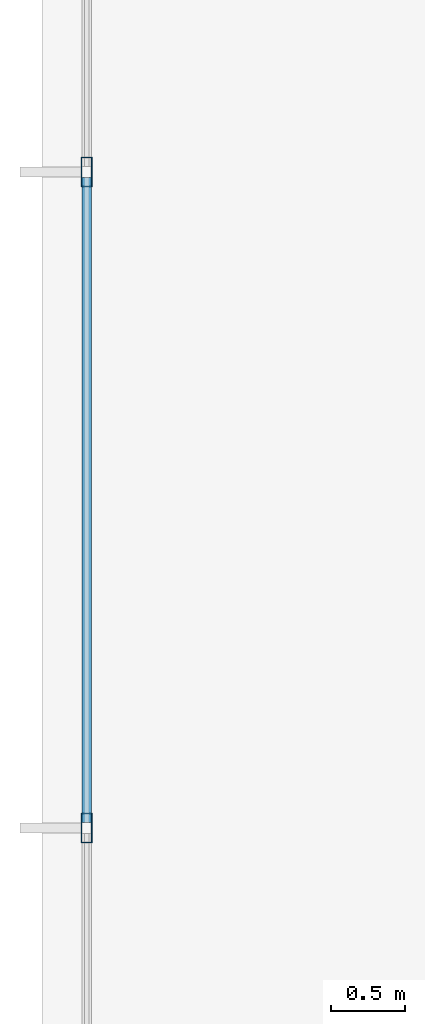
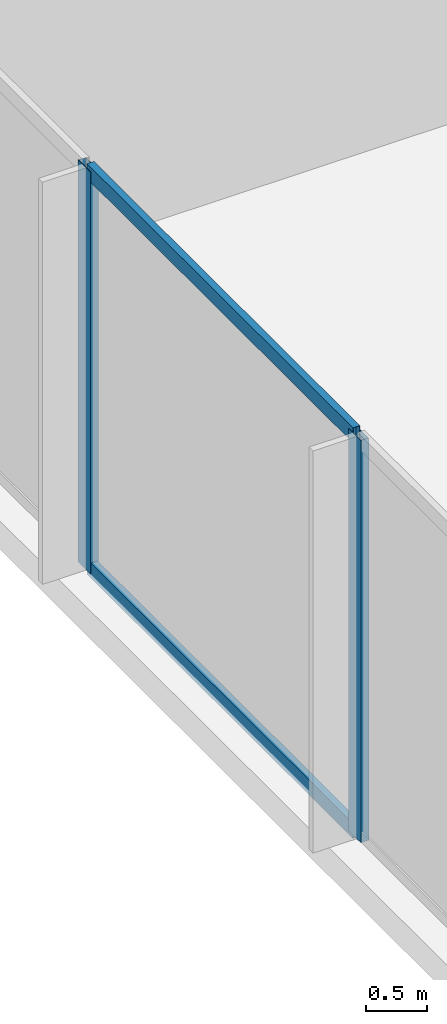
# One storey, part 12 of 42: 4 members, 1 element without a shape of its own.
"""IFC4 building model written with IfcOpenShell, lengths in metres."""

from ifc_helpers import new_model, si_unit, direction, frame, origin, origin_2d, place, context, subcontext, project, spatial, hollow_rectangle, extrude, material, layer, layer_set, material_profile, profile_set, type_object, element, aggregate, save


model = new_model("IFC4")

# Units and contexts
model_context = context("Model", 3, precision=1e-05, world=origin(), true_north=direction((0.0, 1.0)))
body_context = subcontext(model_context, "Body", "Model", "MODEL_VIEW")
ifc_project = project(units=[si_unit("LENGTHUNIT", "METRE"), si_unit("AREAUNIT", "SQUARE_METRE"), si_unit("VOLUMEUNIT", "CUBIC_METRE"), si_unit("PLANEANGLEUNIT", "RADIAN"), si_unit("MASSUNIT", "GRAM", prefix="KILO")], contexts=[model_context])

# Site, building, storey
site_placement = place(None, origin())
site = spatial("IfcSite", under=ifc_project, at=site_placement, CompositionType="ELEMENT")
building_placement = place(site_placement, origin())
building = spatial("IfcBuilding", under=site, at=building_placement, Name="Orvanel Arch Residences", CompositionType="ELEMENT")
storey_placement = place(building_placement, frame((0.0, 0.0, 5.5)))
storey = spatial("IfcBuildingStorey", under=building, at=storey_placement, Name="L01", CompositionType="ELEMENT", Elevation=5.5)

# Curtain wall, members
ifc_material = material(Name="Bronze-anodised aluminium AA6063-T6", Category="aluminium")
ifc_layer = layer(ifc_material, 0.199951171875)
ifc_layer_set = layer_set([ifc_layer], Name="Bronze-anodised aluminium AA6063-T6")
curtain_wall_type = type_object("IfcCurtainWallType", Name="CW1-POD-SYS", PredefinedType="NOTDEFINED", material=ifc_layer_set)
curtain_wall_placement = place(storey_placement, origin())
curtain_wall = element("IfcCurtainWall", 1, at=curtain_wall_placement, inside=storey, type_object=curtain_wall_type, Name="L01 CW1-POD-SYS Unitised Curtain Wall", PredefinedType="NOTDEFINED")
ifc_material_profile_1 = material_profile(ifc_material, hollow_rectangle(XDim=0.074951171875, YDim=0.199951171875, WallThickness=0.0048828125, at=origin_2d()), Name="ALU200x75x5")
ifc_profile_set_1 = profile_set([ifc_material_profile_1], Name="Bronze-anodised aluminium AA6063-T6")
member_type_1 = type_object("IfcMemberType", Name="MUL-200x75", PredefinedType="MULLION", material=ifc_profile_set_1)
member_1_placement = place(storey_placement, frame((1.550048828125, 31.929931640625, 0.0), z_axis=(0.0, 0.0, 1.0), x_axis=(1.0, 0.0, 0.0)))
member_1 = element("IfcMember", 2, at=member_1_placement, type_object=member_type_1, Name="CW-S1 mullion 2", PredefinedType="MULLION", context=body_context, shape_type="SweptSolid", body=[
    extrude(hollow_rectangle(XDim=0.074951171875, YDim=0.199951171875, WallThickness=0.0048828125, at=origin_2d()), origin(), (0.0, 0.0, 1.0), 4.02001953125),
])
member_2_placement = place(storey_placement, frame((1.550048828125, 27.5, 0.0), z_axis=(0.0, 0.0, 1.0), x_axis=(1.0, 0.0, 0.0)))
member_2 = element("IfcMember", 3, at=member_2_placement, type_object=member_type_1, Name="CW-S1 mullion 3", PredefinedType="MULLION", context=body_context, shape_type="SweptSolid", body=[
    extrude(hollow_rectangle(XDim=0.074951171875, YDim=0.199951171875, WallThickness=0.0048828125, at=origin_2d()), origin(), (0.0, 0.0, 1.0), 4.02001953125),
])
ifc_material_profile_2 = material_profile(ifc_material, hollow_rectangle(XDim=0.06494140625, YDim=0.14990234375, WallThickness=0.00390625, at=origin_2d()), Name="ALU150x65x4")
ifc_profile_set_2 = profile_set([ifc_material_profile_2], Name="Bronze-anodised aluminium AA6063-T6")
member_type_2 = type_object("IfcMemberType", Name="TRN-150x65", PredefinedType="USERDEFINED", material=ifc_profile_set_2)
member_3_placement = place(storey_placement, frame((1.550048828125, 31.892578125, 0.032470703125), z_axis=(0.0, -1.0, 0.0), x_axis=(1.0, 0.0, 0.0)))
member_3 = element("IfcMember", 4, at=member_3_placement, type_object=member_type_2, Name="CW-S1 transom 2.1", ObjectType="TRANSOM", PredefinedType="USERDEFINED", context=body_context, shape_type="SweptSolid", body=[
    extrude(hollow_rectangle(XDim=0.06494140625, YDim=0.14990234375, WallThickness=0.00390625, at=origin_2d()), origin(), (0.0, 0.0, 1.0), 4.35498046875),
])
member_4_placement = place(storey_placement, frame((1.550048828125, 31.892578125, 3.987548828125), z_axis=(0.0, -1.0, 0.0), x_axis=(1.0, 0.0, 0.0)))
member_4 = element("IfcMember", 5, at=member_4_placement, type_object=member_type_2, Name="CW-S1 transom 2.2", ObjectType="TRANSOM", PredefinedType="USERDEFINED", context=body_context, shape_type="SweptSolid", body=[
    extrude(hollow_rectangle(XDim=0.06494140625, YDim=0.14990234375, WallThickness=0.00390625, at=origin_2d()), origin(), (0.0, 0.0, 1.0), 4.35498046875),
])
aggregate(curtain_wall, [member_1, member_2, member_3, member_4])

save(model, "model.ifc")
